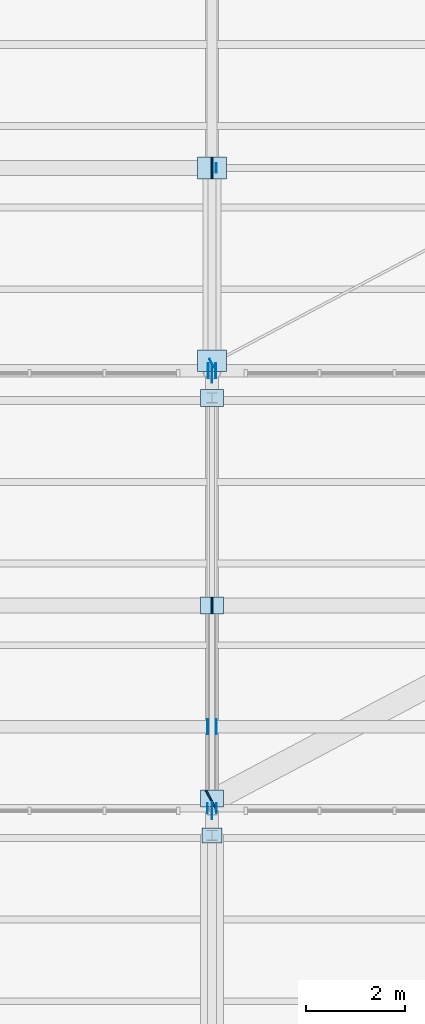
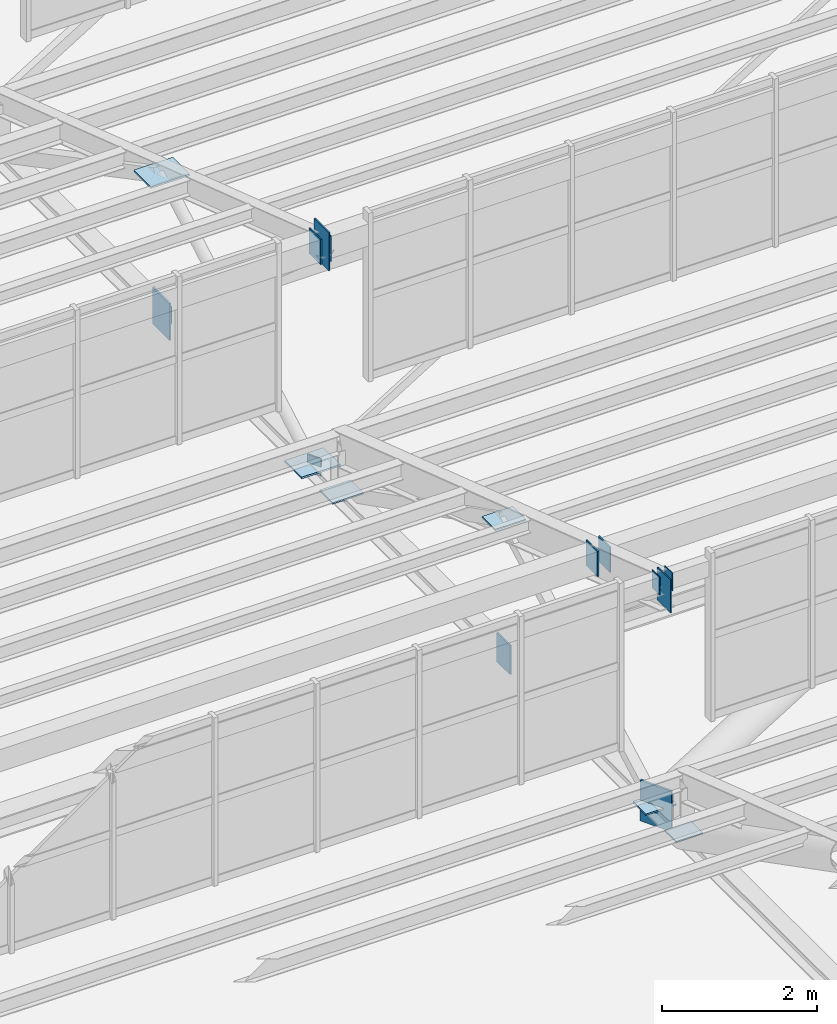
# One storey, part 198 of 285: 19 plates.
"""IFC4 building model written with IfcOpenShell, lengths in metres."""

from ifc_helpers import new_model, si_unit, direction, frame, origin, origin_2d, place, context, subcontext, project, spatial, rectangle, extrude, material, layer, layer_set, type_object, element, save


model = new_model("IFC4")

# Units and contexts
model_context = context("Model", 3, precision=1e-05, world=origin(), true_north=direction((0.0, 1.0)))
body_context = subcontext(model_context, "Body", "Model", "MODEL_VIEW")
ifc_project = project(units=[si_unit("LENGTHUNIT", "METRE"), si_unit("AREAUNIT", "SQUARE_METRE"), si_unit("VOLUMEUNIT", "CUBIC_METRE"), si_unit("PLANEANGLEUNIT", "RADIAN"), si_unit("MASSUNIT", "GRAM", prefix="KILO")], contexts=[model_context])

# Site, building, storey
site_placement = place(None, origin())
site = spatial("IfcSite", under=ifc_project, at=site_placement, CompositionType="ELEMENT")
building_placement = place(site_placement, origin())
building = spatial("IfcBuilding", under=site, at=building_placement, Name="Solanera Park Tramway Depot", CompositionType="ELEMENT")
storey_placement = place(building_placement, origin())
storey = spatial("IfcBuildingStorey", under=building, at=storey_placement, Name="L00", CompositionType="ELEMENT", Elevation=0.0)

# Plates
ifc_material_1 = material(Name="Steel AS/NZS 3679.1 Grade 350", Category="steel")
ifc_layer_1 = layer(ifc_material_1, 0.013916015625)
ifc_layer_set_1 = layer_set([ifc_layer_1], Name="Steel AS/NZS 3679.1 Grade 350")
plate_type_1 = type_object("IfcPlateType", Name="Hollow End Cap and Base Plate 280x200x14", PredefinedType="USERDEFINED", material=ifc_layer_set_1)
for number, where, z_axis, x_axis, name in (
    (1, (44.90625, 64.64990234375, 10.0), (0.0, 0.0, 1.0), (1.0, 0.0, 0.0), "Hollow Section Welded End Cap Plate #0225"),
    (2, (45.09375, 64.64990234375, 10.0), (0.0, 0.0, 1.0), (1.0, 0.0, 0.0), "Hollow Section Welded End Cap Plate #0226"),
    (3, (45.0849609375, 77.60009765625, 6.35986328125), (0.0, 0.0, 1.0), (1.0, 0.0, 0.0), "Hollow Section Welded End Cap Plate #0343"),
    (4, (44.999267578125, 73.648681640625, 6.35986328125), (0.0, 0.0, 1.0), (0.883520501477, 0.468392488698, 0.0), "Hollow Section Welded End Cap Plate #0345"),
):
    element("IfcPlate", number, at=place(storey_placement, frame(where, z_axis=z_axis, x_axis=x_axis)), inside=storey, type_object=plate_type_1, Name=name, ObjectType="BASE PLATE", PredefinedType="USERDEFINED", context=body_context, shape_type="SweptSolid", body=[
        extrude(rectangle(XDim=0.013916015625, YDim=0.199951171875, at=origin_2d()), origin(), (0.0, 0.0, 1.0), 0.280029296875),
    ])
ifc_material_2 = material(Name="Steel AS/NZS 3679.1 Grade 350", Category="steel")
ifc_layer_2 = layer(ifc_material_2, 0.02001953125)
ifc_layer_set_2 = layer_set([ifc_layer_2], Name="Steel AS/NZS 3679.1 Grade 350")
plate_type_2 = type_object("IfcPlateType", Name="Hollow End Cap and Base Plate 400x300x20", PredefinedType="USERDEFINED", material=ifc_layer_set_2)
plate_1_placement = place(storey_placement, frame((45.0, 64.10009765625, 6.489990234375), z_axis=(0.0, 0.0, 1.0), x_axis=(1.0, 0.0, 0.0)))
element("IfcPlate", 5, at=plate_1_placement, inside=storey, type_object=plate_type_2, Name="Sawtooth Truss Node Cap Plate #0084", ObjectType="BASE PLATE", PredefinedType="USERDEFINED", context=body_context, shape_type="SweptSolid", body=[
    extrude(rectangle(XDim=0.39990234375, YDim=0.300048828125, at=origin_2d()), origin(), (0.0, 0.0, 1.0), 0.02001953125),
])
for number, where, z_axis, x_axis, name in (
    (6, (44.9091796875, 66.300048828125, 9.3212890625), (0.0, 0.0, 1.0), (1.0, 0.0, 0.0), "Hollow Section Welded End Cap Plate #0241"),
    (7, (45.0908203125, 66.300048828125, 9.3212890625), (0.0, 0.0, 1.0), (1.0, 0.0, 0.0), "Hollow Section Welded End Cap Plate #0242"),
    (8, (44.92822265625, 73.5, 9.873291015625), (0.0, 0.0, 1.0), (1.0, 0.0, 0.0), "Hollow Section Welded End Cap Plate #0326"),
    (9, (45.07177734375, 73.5, 9.873291015625), (0.0, 0.0, 1.0), (1.0, 0.0, 0.0), "Hollow Section Welded End Cap Plate #0327"),
):
    element("IfcPlate", number, at=place(storey_placement, frame(where, z_axis=z_axis, x_axis=x_axis)), inside=storey, type_object=plate_type_2, Name=name, ObjectType="BASE PLATE", PredefinedType="USERDEFINED", context=body_context, shape_type="SweptSolid", body=[
        extrude(rectangle(XDim=0.02001953125, YDim=0.300048828125, at=origin_2d()), origin(), (0.0, 0.0, 1.0), 0.39990234375),
    ])
ifc_material_3 = material(Name="Steel AS/NZS 3679.1 Grade 350", Category="steel")
ifc_layer_3 = layer(ifc_material_3, 0.02197265625)
ifc_layer_set_3 = layer_set([ifc_layer_3], Name="Steel AS/NZS 3679.1 Grade 350")
plate_type_3 = type_object("IfcPlateType", Name="Hollow End Cap and Base Plate 460x340x22", PredefinedType="USERDEFINED", material=ifc_layer_set_3)
plate_2_placement = place(storey_placement, frame((45.0, 68.75, 6.27001953125), z_axis=(0.0, 0.0, 1.0), x_axis=(1.0, 0.0, 0.0)))
element("IfcPlate", 10, at=plate_2_placement, inside=storey, type_object=plate_type_3, Name="Sawtooth Truss Hollow End Cap #0188", ObjectType="BASE PLATE", PredefinedType="USERDEFINED", context=body_context, shape_type="SweptSolid", body=[
    extrude(rectangle(XDim=0.02197265625, YDim=0.340087890625, at=origin_2d()), origin(), (0.0, 0.0, 1.0), 0.4599609375),
])
for number, where, z_axis, x_axis, name in (
    (11, (45.0, 72.949951171875, 6.489013671875), (0.0, 0.0, 1.0), (1.0, 0.0, 0.0), "Sawtooth Truss Node Cap Plate #0189"),
    (12, (45.0, 68.75, 8.61865234375), (0.0, 0.0, 1.0), (1.0, 0.0, 0.0), "Sawtooth Truss Node Cap Plate #0190"),
    (13, (45.0, 64.85009765625, 6.489013671875), (0.0, 0.0, 1.0), (1.0, 0.0, 0.0), "Sawtooth Truss Node Cap Plate #0191"),
):
    element("IfcPlate", number, at=place(storey_placement, frame(where, z_axis=z_axis, x_axis=x_axis)), inside=storey, type_object=plate_type_3, Name=name, ObjectType="BASE PLATE", PredefinedType="USERDEFINED", context=body_context, shape_type="SweptSolid", body=[
        extrude(rectangle(XDim=0.4599609375, YDim=0.340087890625, at=origin_2d()), origin(), (0.0, 0.0, 1.0), 0.02197265625),
    ])
ifc_material_4 = material(Name="Steel AS/NZS 3679.1 Grade 350", Category="steel")
ifc_layer_4 = layer(ifc_material_4, 0.028076171875)
ifc_layer_set_4 = layer_set([ifc_layer_4], Name="Steel AS/NZS 3679.1 Grade 350")
plate_type_4 = type_object("IfcPlateType", Name="Hollow End Cap and Base Plate 580x440x28", PredefinedType="USERDEFINED", material=ifc_layer_set_4)
plate_3_placement = place(storey_placement, frame((45.0, 77.60009765625, 6.2099609375), z_axis=(0.0, 0.0, 1.0), x_axis=(1.0, 0.0, 0.0)))
element("IfcPlate", 14, at=plate_3_placement, inside=storey, type_object=plate_type_4, Name="Sawtooth Truss Hollow End Cap #0282", ObjectType="BASE PLATE", PredefinedType="USERDEFINED", context=body_context, shape_type="SweptSolid", body=[
    extrude(rectangle(XDim=0.028076171875, YDim=0.43994140625, at=origin_2d()), origin(), (0.0, 0.0, 1.0), 0.580078125),
])
for number, where, z_axis, x_axis, name in (
    (15, (45.0, 77.60009765625, 8.70458984375), (0.0, 0.0, 1.0), (1.0, 0.0, 0.0), "Sawtooth Truss Node Cap Plate #0284"),
    (16, (45.0, 73.699951171875, 6.48583984375), (0.0, 0.0, 1.0), (1.0, 0.0, 0.0), "Sawtooth Truss Node Cap Plate #0285"),
):
    element("IfcPlate", number, at=place(storey_placement, frame(where, z_axis=z_axis, x_axis=x_axis)), inside=storey, type_object=plate_type_4, Name=name, ObjectType="BASE PLATE", PredefinedType="USERDEFINED", context=body_context, shape_type="SweptSolid", body=[
        extrude(rectangle(XDim=0.580078125, YDim=0.43994140625, at=origin_2d()), origin(), (0.0, 0.0, 1.0), 0.028076171875),
    ])
ifc_material_5 = material(Name="Steel AS/NZS 3679.1 Grade 350", Category="steel")
ifc_layer_5 = layer(ifc_material_5, 0.031982421875)
ifc_layer_set_5 = layer_set([ifc_layer_5], Name="Steel AS/NZS 3679.1 Grade 350")
plate_type_5 = type_object("IfcPlateType", Name="Hollow End Cap and Base Plate 640x480x32", PredefinedType="USERDEFINED", material=ifc_layer_set_5)
plate_4_placement = place(storey_placement, frame((44.991455078125, 64.79443359375, 6.18017578125), z_axis=(0.0, 0.0, 1.0), x_axis=(0.883520501477, 0.468392488698, 0.0)))
element("IfcPlate", 17, at=plate_4_placement, inside=storey, type_object=plate_type_5, Name="Hollow Section Welded End Cap Plate #0256", ObjectType="BASE PLATE", PredefinedType="USERDEFINED", context=body_context, shape_type="SweptSolid", body=[
    extrude(rectangle(XDim=0.031982421875, YDim=0.47998046875, at=origin_2d()), origin(), (0.0, 0.0, 1.0), 0.639892578125),
])
ifc_material_6 = material(Name="Steel AS/NZS 3679.1 Grade 350", Category="steel")
ifc_layer_6 = layer(ifc_material_6, 0.01806640625)
ifc_layer_set_6 = layer_set([ifc_layer_6], Name="Steel AS/NZS 3679.1 Grade 350")
plate_type_6 = type_object("IfcPlateType", Name="Truss Node Gusset Stiffener 520x340x18", PredefinedType="SHEET", material=ifc_layer_set_6)
plate_5_placement = place(storey_placement, frame((45.0, 64.60009765625, 9.75830078125), z_axis=(0.0, 0.0, 1.0), x_axis=(1.0, 0.0, 0.0)))
element("IfcPlate", 18, at=plate_5_placement, inside=storey, type_object=plate_type_6, Name="Sawtooth Truss Apex Gusset Plate #0187", PredefinedType="SHEET", context=body_context, shape_type="SweptSolid", body=[
    extrude(rectangle(XDim=0.01806640625, YDim=0.340087890625, at=origin_2d()), origin(), (0.0, 0.0, 1.0), 0.52001953125),
])
ifc_material_7 = material(Name="Steel AS/NZS 3679.1 Grade 350", Category="steel")
ifc_layer_7 = layer(ifc_material_7, 0.02001953125)
ifc_layer_set_7 = layer_set([ifc_layer_7], Name="Steel AS/NZS 3679.1 Grade 350")
plate_type_7 = type_object("IfcPlateType", Name="Truss Node Gusset Stiffener 600x380x20", PredefinedType="SHEET", material=ifc_layer_set_7)
plate_6_placement = place(storey_placement, frame((45.0, 73.449951171875, 9.806884765625), z_axis=(0.0, 0.0, 1.0), x_axis=(1.0, 0.0, 0.0)))
element("IfcPlate", 19, at=plate_6_placement, inside=storey, type_object=plate_type_7, Name="Sawtooth Truss Apex Gusset Plate #0281", PredefinedType="SHEET", context=body_context, shape_type="SweptSolid", body=[
    extrude(rectangle(XDim=0.02001953125, YDim=0.3798828125, at=origin_2d()), origin(), (0.0, 0.0, 1.0), 0.60009765625),
])

save(model, "model.ifc")
